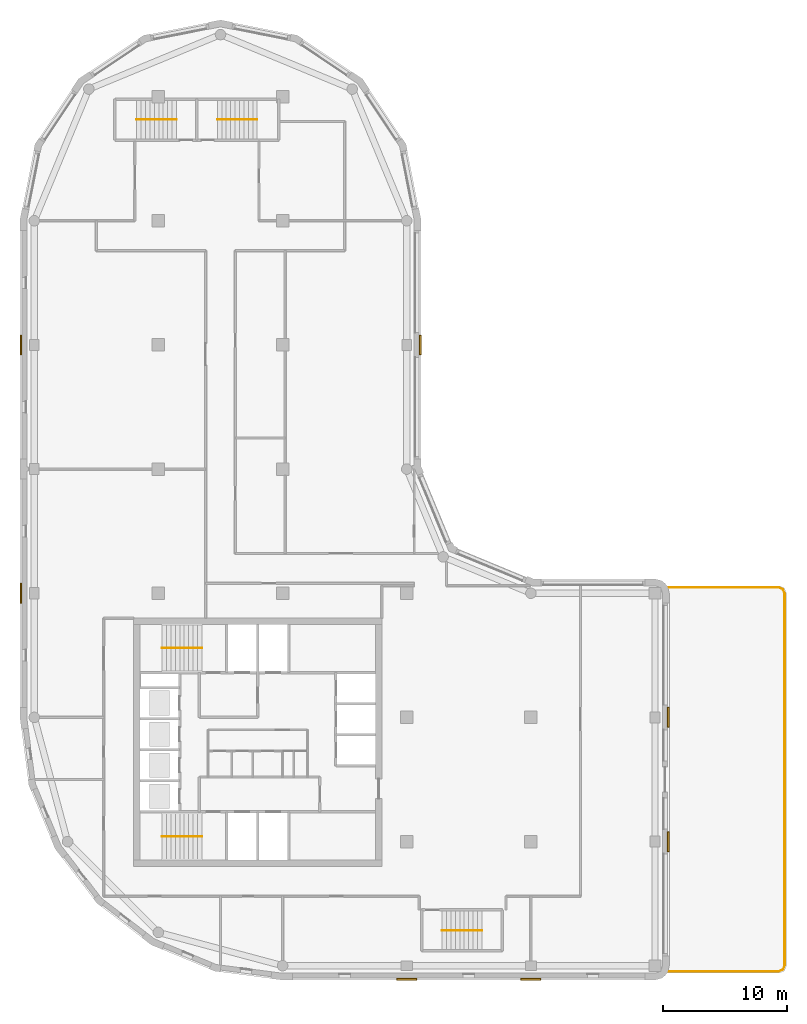
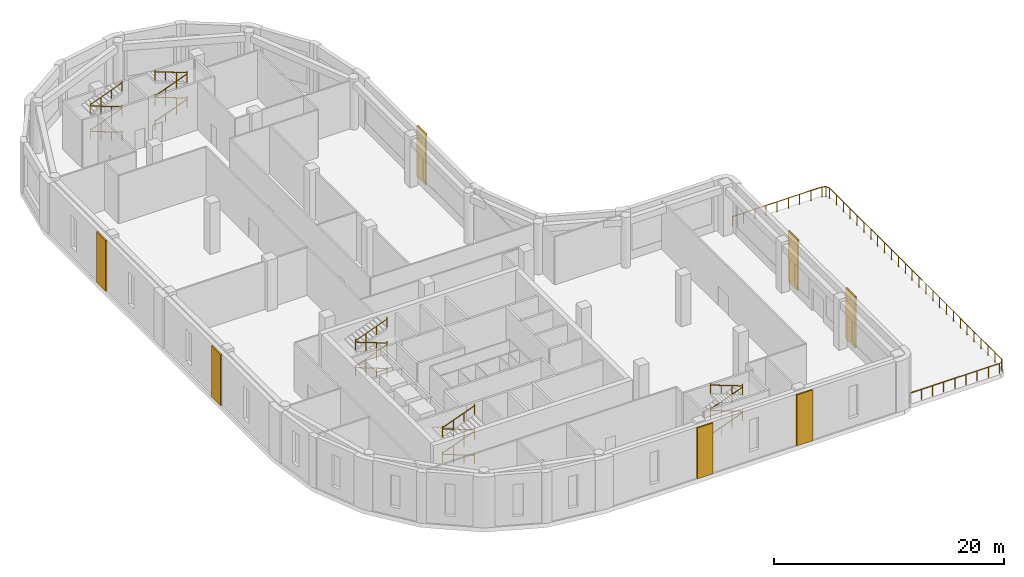
# One storey, part 8 of 9: 21 railings, 7 coverings.
"""IFC4 building model written with IfcOpenShell, lengths in metres."""

from ifc_helpers import new_model, si_unit, direction, frame, origin, origin_2d, place, context, subcontext, project, spatial, polyline, circle, outline, extrude, material, layer, layer_set, type_object, element, save


model = new_model("IFC4")

# Units and contexts
model_context = context("Model", 3, precision=1e-05, world=origin(), true_north=direction((0.0, 1.0)))
body_context = subcontext(model_context, "Body", "Model", "MODEL_VIEW")
ifc_project = project(units=[si_unit("LENGTHUNIT", "METRE"), si_unit("AREAUNIT", "SQUARE_METRE"), si_unit("VOLUMEUNIT", "CUBIC_METRE"), si_unit("PLANEANGLEUNIT", "RADIAN"), si_unit("MASSUNIT", "GRAM", prefix="KILO")], contexts=[model_context])

# Site, building, storey
site_placement = place(None, origin())
site = spatial("IfcSite", under=ifc_project, at=site_placement, CompositionType="ELEMENT")
building_placement = place(site_placement, origin())
building = spatial("IfcBuilding", under=site, at=building_placement, Name="Qaws Garden Tower", CompositionType="ELEMENT")
storey_placement = place(building_placement, frame((0.0, 0.0, 246.0)))
storey = spatial("IfcBuildingStorey", under=building, at=storey_placement, Name="L59", CompositionType="ELEMENT", Elevation=246.0)

# Coverings
ifc_material_1 = material(Name="Clay facing brick masonry", Category="masonry")
ifc_layer = layer(ifc_material_1, 0.14990234375)
ifc_layer_set = layer_set([ifc_layer], Name="Clay facing brick masonry")
covering_type = type_object("IfcCoveringType", Name="Brick pilaster facing 150 x 1600", PredefinedType="CLADDING", material=ifc_layer_set)
placement = place(storey_placement, origin())
element("IfcCovering", 1, at=placement, inside=storey, type_object=covering_type, Name="E-L59-pier-01", PredefinedType="CLADDING", context=body_context, shape_type="SweptSolid", body=[
    extrude(outline(polyline([(29.199951171875, -1.0), (30.800048828125, -1.0), (30.800048828125, -1.14990234375), (29.199951171875, -1.14990234375), (29.199951171875, -1.0)])), origin(), (0.0, 0.0, 1.0), 5.39990234375),
])
element("IfcCovering", 2, at=placement, inside=storey, type_object=covering_type, Name="E-L59-pier-02", PredefinedType="CLADDING", context=body_context, shape_type="SweptSolid", body=[
    extrude(outline(polyline([(39.199951171875, -1.0), (40.800048828125, -1.0), (40.800048828125, -1.14990234375), (39.199951171875, -1.14990234375), (39.199951171875, -1.0)])), origin(), (0.0, 0.0, 1.0), 5.39990234375),
])
element("IfcCovering", 3, at=placement, inside=storey, type_object=covering_type, Name="E-L59-pier-04", PredefinedType="CLADDING", context=body_context, shape_type="SweptSolid", body=[
    extrude(outline(polyline([(51.0, 9.199951171875), (51.0, 10.800048828125), (51.14990234375, 10.800048828125), (51.14990234375, 9.199951171875), (51.0, 9.199951171875)])), origin(), (0.0, 0.0, 1.0), 5.39990234375),
])
element("IfcCovering", 4, at=placement, inside=storey, type_object=covering_type, Name="E-L59-pier-05", PredefinedType="CLADDING", context=body_context, shape_type="SweptSolid", body=[
    extrude(outline(polyline([(51.0, 19.199951171875), (51.0, 20.800048828125), (51.14990234375, 20.800048828125), (51.14990234375, 19.199951171875), (51.0, 19.199951171875)])), origin(), (0.0, 0.0, 1.0), 5.39990234375),
])
element("IfcCovering", 5, at=placement, inside=storey, type_object=covering_type, Name="E-L59-pier-10", PredefinedType="CLADDING", context=body_context, shape_type="SweptSolid", body=[
    extrude(outline(polyline([(31.0, 49.199951171875), (31.0, 50.800048828125), (31.14990234375, 50.800048828125), (31.14990234375, 49.199951171875), (31.0, 49.199951171875)])), origin(), (0.0, 0.0, 1.0), 5.39990234375),
])
element("IfcCovering", 6, at=placement, inside=storey, type_object=covering_type, Name="E-L59-pier-20", PredefinedType="CLADDING", context=body_context, shape_type="SweptSolid", body=[
    extrude(outline(polyline([(-1.0, 50.800048828125), (-1.0, 49.199951171875), (-1.14990234375, 49.199951171875), (-1.14990234375, 50.800048828125), (-1.0, 50.800048828125)])), origin(), (0.0, 0.0, 1.0), 5.39990234375),
])
element("IfcCovering", 7, at=placement, inside=storey, type_object=covering_type, Name="E-L59-pier-22", PredefinedType="CLADDING", context=body_context, shape_type="SweptSolid", body=[
    extrude(outline(polyline([(-1.0, 30.800048828125), (-1.0, 29.199951171875), (-1.14990234375, 29.199951171875), (-1.14990234375, 30.800048828125), (-1.0, 30.800048828125)])), origin(), (0.0, 0.0, 1.0), 5.39990234375),
])

# Railings
ifc_material_2 = material(Name="Glass and steel S355", Category="steel")
railing_type_1 = type_object("IfcRailingType", Name="Guard glass balustrade 1100", PredefinedType="GUARDRAIL", material=ifc_material_2)
railing_1_placement = place(storey_placement, frame((50.97607421875, 30.449951171875, 0.0)))
element("IfcRailing", 8, at=railing_1_placement, inside=storey, type_object=railing_type_1, Name="Terrace guard", PredefinedType="GUARDRAIL", context=body_context, shape_type="SweptSolid", body=[
    extrude(circle(Radius=0.02392578125, at=origin_2d()), frame((0.0, 0.0, 1.076171875), z_axis=(1.0, 0.0, 0.0), x_axis=(0.0, 1.0, 0.0)), (0.0, 0.0, 1.0), 8.994140625),
    extrude(circle(Radius=0.02392578125, at=origin_2d()), frame((8.994140625, 0.0, 1.076171875), z_axis=(0.924057322028, -0.382253928177, 0.0), x_axis=(0.382253928177, 0.924057322028, 0.0)), (0.0, 0.0, 1.0), 0.3671875),
    extrude(circle(Radius=0.02392578125, at=origin_2d()), frame((9.33349609375, -0.140380859375, 1.076171875), z_axis=(0.382253928177, -0.924057322028, 0.0), x_axis=(0.924057322028, 0.382253928177, 0.0)), (0.0, 0.0, 1.0), 0.3671875),
    extrude(circle(Radius=0.02392578125, at=origin_2d()), frame((9.473876953125, -0.479736328125, 1.076171875), z_axis=(0.0, -1.0, 0.0), x_axis=(1.0, 0.0, 0.0)), (0.0, 0.0, 1.0), 29.9404296875),
    extrude(circle(Radius=0.02392578125, at=origin_2d()), frame((9.473876953125, -30.420166015625, 1.076171875), z_axis=(-0.382253928177, -0.924057322028, 0.0), x_axis=(0.924057322028, -0.382253928177, 0.0)), (0.0, 0.0, 1.0), 0.3671875),
    extrude(circle(Radius=0.02392578125, at=origin_2d()), frame((9.33349609375, -30.759521484375, 1.076171875), z_axis=(-0.924057322028, -0.382253928177, 0.0), x_axis=(0.382253928177, -0.924057322028, 0.0)), (0.0, 0.0, 1.0), 0.3671875),
    extrude(circle(Radius=0.02392578125, at=origin_2d()), frame((8.994140625, -30.89990234375, 1.076171875), z_axis=(-1.0, 0.0, 0.0), x_axis=(0.0, -1.0, 0.0)), (0.0, 0.0, 1.0), 8.994140625),
    extrude(circle(Radius=0.02099609375, at=origin_2d()), origin(), (0.0, 0.0, 1.0), 1.052001953125),
    extrude(circle(Radius=0.02099609375, at=origin_2d()), frame((1.124267578125, 0.0, 0.0)), (0.0, 0.0, 1.0), 1.052001953125),
    extrude(circle(Radius=0.02099609375, at=origin_2d()), frame((2.24853515625, 0.0, 0.0)), (0.0, 0.0, 1.0), 1.052001953125),
    extrude(circle(Radius=0.02099609375, at=origin_2d()), frame((3.372802734375, 0.0, 0.0)), (0.0, 0.0, 1.0), 1.052001953125),
    extrude(circle(Radius=0.02099609375, at=origin_2d()), frame((4.4970703125, 0.0, 0.0)), (0.0, 0.0, 1.0), 1.052001953125),
    extrude(circle(Radius=0.02099609375, at=origin_2d()), frame((5.621337890625, 0.0, 0.0)), (0.0, 0.0, 1.0), 1.052001953125),
    extrude(circle(Radius=0.02099609375, at=origin_2d()), frame((6.74560546875, 0.0, 0.0)), (0.0, 0.0, 1.0), 1.052001953125),
    extrude(circle(Radius=0.02099609375, at=origin_2d()), frame((7.869873046875, 0.0, 0.0)), (0.0, 0.0, 1.0), 1.052001953125),
    extrude(circle(Radius=0.02099609375, at=origin_2d()), frame((8.994140625, 0.0, 0.0)), (0.0, 0.0, 1.0), 1.052001953125),
    extrude(circle(Radius=0.02099609375, at=origin_2d()), frame((9.33349609375, -0.140380859375, 0.0)), (0.0, 0.0, 1.0), 1.052001953125),
    extrude(circle(Radius=0.02099609375, at=origin_2d()), frame((9.473876953125, -0.479736328125, 0.0)), (0.0, 0.0, 1.0), 1.052001953125),
    extrude(circle(Radius=0.02099609375, at=origin_2d()), frame((9.473876953125, -1.67724609375, 0.0)), (0.0, 0.0, 1.0), 1.052001953125),
    extrude(circle(Radius=0.02099609375, at=origin_2d()), frame((9.473876953125, -2.875, 0.0)), (0.0, 0.0, 1.0), 1.052001953125),
    extrude(circle(Radius=0.02099609375, at=origin_2d()), frame((9.473876953125, -4.072509765625, 0.0)), (0.0, 0.0, 1.0), 1.052001953125),
    extrude(circle(Radius=0.02099609375, at=origin_2d()), frame((9.473876953125, -5.270263671875, 0.0)), (0.0, 0.0, 1.0), 1.052001953125),
    extrude(circle(Radius=0.02099609375, at=origin_2d()), frame((9.473876953125, -6.4677734375, 0.0)), (0.0, 0.0, 1.0), 1.052001953125),
    extrude(circle(Radius=0.02099609375, at=origin_2d()), frame((9.473876953125, -7.66552734375, 0.0)), (0.0, 0.0, 1.0), 1.052001953125),
    extrude(circle(Radius=0.02099609375, at=origin_2d()), frame((9.473876953125, -8.863037109375, 0.0)), (0.0, 0.0, 1.0), 1.052001953125),
    extrude(circle(Radius=0.02099609375, at=origin_2d()), frame((9.473876953125, -10.060791015625, 0.0)), (0.0, 0.0, 1.0), 1.052001953125),
    extrude(circle(Radius=0.02099609375, at=origin_2d()), frame((9.473876953125, -11.25830078125, 0.0)), (0.0, 0.0, 1.0), 1.052001953125),
    extrude(circle(Radius=0.02099609375, at=origin_2d()), frame((9.473876953125, -12.455810546875, 0.0)), (0.0, 0.0, 1.0), 1.052001953125),
    extrude(circle(Radius=0.02099609375, at=origin_2d()), frame((9.473876953125, -13.653564453125, 0.0)), (0.0, 0.0, 1.0), 1.052001953125),
    extrude(circle(Radius=0.02099609375, at=origin_2d()), frame((9.473876953125, -14.85107421875, 0.0)), (0.0, 0.0, 1.0), 1.052001953125),
    extrude(circle(Radius=0.02099609375, at=origin_2d()), frame((9.473876953125, -16.048828125, 0.0)), (0.0, 0.0, 1.0), 1.052001953125),
    extrude(circle(Radius=0.02099609375, at=origin_2d()), frame((9.473876953125, -17.246337890625, 0.0)), (0.0, 0.0, 1.0), 1.052001953125),
    extrude(circle(Radius=0.02099609375, at=origin_2d()), frame((9.473876953125, -18.444091796875, 0.0)), (0.0, 0.0, 1.0), 1.052001953125),
    extrude(circle(Radius=0.02099609375, at=origin_2d()), frame((9.473876953125, -19.6416015625, 0.0)), (0.0, 0.0, 1.0), 1.052001953125),
    extrude(circle(Radius=0.02099609375, at=origin_2d()), frame((9.473876953125, -20.839111328125, 0.0)), (0.0, 0.0, 1.0), 1.052001953125),
    extrude(circle(Radius=0.02099609375, at=origin_2d()), frame((9.473876953125, -22.036865234375, 0.0)), (0.0, 0.0, 1.0), 1.052001953125),
    extrude(circle(Radius=0.02099609375, at=origin_2d()), frame((9.473876953125, -23.234375, 0.0)), (0.0, 0.0, 1.0), 1.052001953125),
    extrude(circle(Radius=0.02099609375, at=origin_2d()), frame((9.473876953125, -24.43212890625, 0.0)), (0.0, 0.0, 1.0), 1.052001953125),
    extrude(circle(Radius=0.02099609375, at=origin_2d()), frame((9.473876953125, -25.629638671875, 0.0)), (0.0, 0.0, 1.0), 1.052001953125),
    extrude(circle(Radius=0.02099609375, at=origin_2d()), frame((9.473876953125, -26.827392578125, 0.0)), (0.0, 0.0, 1.0), 1.052001953125),
    extrude(circle(Radius=0.02099609375, at=origin_2d()), frame((9.473876953125, -28.02490234375, 0.0)), (0.0, 0.0, 1.0), 1.052001953125),
    extrude(circle(Radius=0.02099609375, at=origin_2d()), frame((9.473876953125, -29.22265625, 0.0)), (0.0, 0.0, 1.0), 1.052001953125),
    extrude(circle(Radius=0.02099609375, at=origin_2d()), frame((9.473876953125, -30.420166015625, 0.0)), (0.0, 0.0, 1.0), 1.052001953125),
    extrude(circle(Radius=0.02099609375, at=origin_2d()), frame((9.33349609375, -30.759521484375, 0.0)), (0.0, 0.0, 1.0), 1.052001953125),
    extrude(circle(Radius=0.02099609375, at=origin_2d()), frame((8.994140625, -30.89990234375, 0.0)), (0.0, 0.0, 1.0), 1.052001953125),
    extrude(circle(Radius=0.02099609375, at=origin_2d()), frame((7.869873046875, -30.89990234375, 0.0)), (0.0, 0.0, 1.0), 1.052001953125),
    extrude(circle(Radius=0.02099609375, at=origin_2d()), frame((6.74560546875, -30.89990234375, 0.0)), (0.0, 0.0, 1.0), 1.052001953125),
    extrude(circle(Radius=0.02099609375, at=origin_2d()), frame((5.621337890625, -30.89990234375, 0.0)), (0.0, 0.0, 1.0), 1.052001953125),
    extrude(circle(Radius=0.02099609375, at=origin_2d()), frame((4.4970703125, -30.89990234375, 0.0)), (0.0, 0.0, 1.0), 1.052001953125),
    extrude(circle(Radius=0.02099609375, at=origin_2d()), frame((3.372802734375, -30.89990234375, 0.0)), (0.0, 0.0, 1.0), 1.052001953125),
    extrude(circle(Radius=0.02099609375, at=origin_2d()), frame((2.24853515625, -30.89990234375, 0.0)), (0.0, 0.0, 1.0), 1.052001953125),
    extrude(circle(Radius=0.02099609375, at=origin_2d()), frame((1.124267578125, -30.89990234375, 0.0)), (0.0, 0.0, 1.0), 1.052001953125),
    extrude(circle(Radius=0.02099609375, at=origin_2d()), frame((0.0, -30.89990234375, 0.0)), (0.0, 0.0, 1.0), 1.052001953125),
])
ifc_material_3 = material(Name="Steel S355", Category="steel")
railing_type_2 = type_object("IfcRailingType", Name="Stair handrail 900", PredefinedType="HANDRAIL", material=ifc_material_3)
railing_2_placement = place(storey_placement, frame((13.5, 10.39990234375, 0.135009765625)))
element("IfcRailing", 9, at=railing_2_placement, inside=storey, type_object=railing_type_2, Name="Stair 1 handrail", PredefinedType="HANDRAIL", context=body_context, shape_type="SweptSolid", body=[
    extrude(circle(Radius=0.02392578125, at=origin_2d()), frame((0.0, 0.0, 0.8759765625), z_axis=(-0.935022778244, 0.0, 0.354587653712), x_axis=(0.0, -1.0, 0.0)), (0.0, 0.0, 1.0), 3.4267578125),
    extrude(circle(Radius=0.02099609375, at=origin_2d()), origin(), (0.0, 0.0, 1.0), 1.034912109375),
    extrude(circle(Radius=0.02099609375, at=origin_2d()), frame((-1.068115234375, 0.0, 0.405029296875)), (0.0, 0.0, 1.0), 0.851806640625),
    extrude(circle(Radius=0.02099609375, at=origin_2d()), frame((-2.135986328125, 0.0, 0.81005859375)), (0.0, 0.0, 1.0), 0.851806640625),
    extrude(circle(Radius=0.02099609375, at=origin_2d()), frame((-3.2041015625, 0.0, 1.215087890625)), (0.0, 0.0, 1.0), 1.034912109375),
])
railing_3_placement = place(storey_placement, frame((10.2958984375, 10.39990234375, 1.485107421875)))
element("IfcRailing", 10, at=railing_3_placement, inside=storey, type_object=railing_type_2, Name="Stair 1 handrail", PredefinedType="HANDRAIL", context=body_context, shape_type="SweptSolid", body=[
    extrude(circle(Radius=0.02392578125, at=origin_2d()), frame((0.0, 0.0, 0.8759765625), z_axis=(0.935046397956, 0.0, 0.354525363931), x_axis=(0.0, 1.0, 0.0)), (0.0, 0.0, 1.0), 3.4267578125),
    extrude(circle(Radius=0.02099609375, at=origin_2d()), origin(), (0.0, 0.0, 1.0), 1.034912109375),
    extrude(circle(Radius=0.02099609375, at=origin_2d()), frame((1.068115234375, 0.0, 0.405029296875)), (0.0, 0.0, 1.0), 0.851806640625),
    extrude(circle(Radius=0.02099609375, at=origin_2d()), frame((2.135986328125, 0.0, 0.809814453125)), (0.0, 0.0, 1.0), 0.851806640625),
    extrude(circle(Radius=0.02099609375, at=origin_2d()), frame((3.2041015625, 0.0, 1.21484375)), (0.0, 0.0, 1.0), 1.034912109375),
])
railing_4_placement = place(storey_placement, frame((13.5, 10.39990234375, 2.8349609375)))
element("IfcRailing", 11, at=railing_4_placement, inside=storey, type_object=railing_type_2, Name="Stair 1 handrail", PredefinedType="HANDRAIL", context=body_context, shape_type="SweptSolid", body=[
    extrude(circle(Radius=0.02392578125, at=origin_2d()), frame((0.0, 0.0, 0.8759765625), z_axis=(-0.935022778244, 0.0, 0.354587653712), x_axis=(0.0, -1.0, 0.0)), (0.0, 0.0, 1.0), 3.4267578125),
    extrude(circle(Radius=0.02099609375, at=origin_2d()), origin(), (0.0, 0.0, 1.0), 1.034912109375),
    extrude(circle(Radius=0.02099609375, at=origin_2d()), frame((-1.068115234375, 0.0, 0.405029296875)), (0.0, 0.0, 1.0), 0.851806640625),
    extrude(circle(Radius=0.02099609375, at=origin_2d()), frame((-2.135986328125, 0.0, 0.81005859375)), (0.0, 0.0, 1.0), 0.851806640625),
    extrude(circle(Radius=0.02099609375, at=origin_2d()), frame((-3.2041015625, 0.0, 1.215087890625)), (0.0, 0.0, 1.0), 1.034912109375),
])
railing_5_placement = place(storey_placement, frame((10.2958984375, 10.39990234375, 4.18505859375)))
element("IfcRailing", 12, at=railing_5_placement, inside=storey, type_object=railing_type_2, Name="Stair 1 handrail", PredefinedType="HANDRAIL", context=body_context, shape_type="SweptSolid", body=[
    extrude(circle(Radius=0.02392578125, at=origin_2d()), frame((0.0, 0.0, 0.8759765625), z_axis=(0.935046397956, 0.0, 0.354525363931), x_axis=(0.0, 1.0, 0.0)), (0.0, 0.0, 1.0), 3.4267578125),
    extrude(circle(Radius=0.02099609375, at=origin_2d()), origin(), (0.0, 0.0, 1.0), 1.034912109375),
    extrude(circle(Radius=0.02099609375, at=origin_2d()), frame((1.068115234375, 0.0, 0.405029296875)), (0.0, 0.0, 1.0), 0.851806640625),
    extrude(circle(Radius=0.02099609375, at=origin_2d()), frame((2.135986328125, 0.0, 0.809814453125)), (0.0, 0.0, 1.0), 0.851806640625),
    extrude(circle(Radius=0.02099609375, at=origin_2d()), frame((3.2041015625, 0.0, 1.21484375)), (0.0, 0.0, 1.0), 1.034912109375),
])
railing_6_placement = place(storey_placement, frame((13.5, 25.60009765625, 0.135009765625)))
element("IfcRailing", 13, at=railing_6_placement, inside=storey, type_object=railing_type_2, Name="Stair 4 handrail", PredefinedType="HANDRAIL", context=body_context, shape_type="SweptSolid", body=[
    extrude(circle(Radius=0.02392578125, at=origin_2d()), frame((0.0, 0.0, 0.8759765625), z_axis=(-0.935022778244, 0.0, 0.354587653712), x_axis=(0.0, -1.0, 0.0)), (0.0, 0.0, 1.0), 3.4267578125),
    extrude(circle(Radius=0.02099609375, at=origin_2d()), origin(), (0.0, 0.0, 1.0), 1.034912109375),
    extrude(circle(Radius=0.02099609375, at=origin_2d()), frame((-1.068115234375, 0.0, 0.405029296875)), (0.0, 0.0, 1.0), 0.851806640625),
    extrude(circle(Radius=0.02099609375, at=origin_2d()), frame((-2.135986328125, 0.0, 0.81005859375)), (0.0, 0.0, 1.0), 0.851806640625),
    extrude(circle(Radius=0.02099609375, at=origin_2d()), frame((-3.2041015625, 0.0, 1.215087890625)), (0.0, 0.0, 1.0), 1.034912109375),
])
railing_7_placement = place(storey_placement, frame((10.2958984375, 25.60009765625, 1.485107421875)))
element("IfcRailing", 14, at=railing_7_placement, inside=storey, type_object=railing_type_2, Name="Stair 4 handrail", PredefinedType="HANDRAIL", context=body_context, shape_type="SweptSolid", body=[
    extrude(circle(Radius=0.02392578125, at=origin_2d()), frame((0.0, 0.0, 0.8759765625), z_axis=(0.935046397956, 0.0, 0.354525363931), x_axis=(0.0, 1.0, 0.0)), (0.0, 0.0, 1.0), 3.4267578125),
    extrude(circle(Radius=0.02099609375, at=origin_2d()), origin(), (0.0, 0.0, 1.0), 1.034912109375),
    extrude(circle(Radius=0.02099609375, at=origin_2d()), frame((1.068115234375, 0.0, 0.405029296875)), (0.0, 0.0, 1.0), 0.851806640625),
    extrude(circle(Radius=0.02099609375, at=origin_2d()), frame((2.135986328125, 0.0, 0.809814453125)), (0.0, 0.0, 1.0), 0.851806640625),
    extrude(circle(Radius=0.02099609375, at=origin_2d()), frame((3.2041015625, 0.0, 1.21484375)), (0.0, 0.0, 1.0), 1.034912109375),
])
railing_8_placement = place(storey_placement, frame((13.5, 25.60009765625, 2.8349609375)))
element("IfcRailing", 15, at=railing_8_placement, inside=storey, type_object=railing_type_2, Name="Stair 4 handrail", PredefinedType="HANDRAIL", context=body_context, shape_type="SweptSolid", body=[
    extrude(circle(Radius=0.02392578125, at=origin_2d()), frame((0.0, 0.0, 0.8759765625), z_axis=(-0.935022778244, 0.0, 0.354587653712), x_axis=(0.0, -1.0, 0.0)), (0.0, 0.0, 1.0), 3.4267578125),
    extrude(circle(Radius=0.02099609375, at=origin_2d()), origin(), (0.0, 0.0, 1.0), 1.034912109375),
    extrude(circle(Radius=0.02099609375, at=origin_2d()), frame((-1.068115234375, 0.0, 0.405029296875)), (0.0, 0.0, 1.0), 0.851806640625),
    extrude(circle(Radius=0.02099609375, at=origin_2d()), frame((-2.135986328125, 0.0, 0.81005859375)), (0.0, 0.0, 1.0), 0.851806640625),
    extrude(circle(Radius=0.02099609375, at=origin_2d()), frame((-3.2041015625, 0.0, 1.215087890625)), (0.0, 0.0, 1.0), 1.034912109375),
])
railing_9_placement = place(storey_placement, frame((10.2958984375, 25.60009765625, 4.18505859375)))
element("IfcRailing", 16, at=railing_9_placement, inside=storey, type_object=railing_type_2, Name="Stair 4 handrail", PredefinedType="HANDRAIL", context=body_context, shape_type="SweptSolid", body=[
    extrude(circle(Radius=0.02392578125, at=origin_2d()), frame((0.0, 0.0, 0.8759765625), z_axis=(0.935046397956, 0.0, 0.354525363931), x_axis=(0.0, 1.0, 0.0)), (0.0, 0.0, 1.0), 3.4267578125),
    extrude(circle(Radius=0.02099609375, at=origin_2d()), origin(), (0.0, 0.0, 1.0), 1.034912109375),
    extrude(circle(Radius=0.02099609375, at=origin_2d()), frame((1.068115234375, 0.0, 0.405029296875)), (0.0, 0.0, 1.0), 0.851806640625),
    extrude(circle(Radius=0.02099609375, at=origin_2d()), frame((2.135986328125, 0.0, 0.809814453125)), (0.0, 0.0, 1.0), 0.851806640625),
    extrude(circle(Radius=0.02099609375, at=origin_2d()), frame((3.2041015625, 0.0, 1.21484375)), (0.0, 0.0, 1.0), 1.034912109375),
])
railing_10_placement = place(storey_placement, frame((32.85009765625, 2.85009765625, 0.135009765625)))
element("IfcRailing", 17, at=railing_10_placement, inside=storey, type_object=railing_type_2, Name="Stair 5 handrail", PredefinedType="HANDRAIL", context=body_context, shape_type="SweptSolid", body=[
    extrude(circle(Radius=0.02392578125, at=origin_2d()), frame((0.0, 0.0, 0.8759765625), z_axis=(0.935013819511, 0.0, 0.354611276363), x_axis=(0.0, 1.0, 0.0)), (0.0, 0.0, 1.0), 3.426513671875),
    extrude(circle(Radius=0.02099609375, at=origin_2d()), origin(), (0.0, 0.0, 1.0), 1.034912109375),
    extrude(circle(Radius=0.02099609375, at=origin_2d()), frame((1.06787109375, 0.0, 0.405029296875)), (0.0, 0.0, 1.0), 0.851806640625),
    extrude(circle(Radius=0.02099609375, at=origin_2d()), frame((2.135986328125, 0.0, 0.81005859375)), (0.0, 0.0, 1.0), 0.851806640625),
    extrude(circle(Radius=0.02099609375, at=origin_2d()), frame((3.203857421875, 0.0, 1.215087890625)), (0.0, 0.0, 1.0), 1.034912109375),
])
railing_11_placement = place(storey_placement, frame((36.053955078125, 2.85009765625, 1.485107421875)))
element("IfcRailing", 18, at=railing_11_placement, inside=storey, type_object=railing_type_2, Name="Stair 5 handrail", PredefinedType="HANDRAIL", context=body_context, shape_type="SweptSolid", body=[
    extrude(circle(Radius=0.02392578125, at=origin_2d()), frame((0.0, 0.0, 0.8759765625), z_axis=(-0.935037442144, 0.0, 0.354548983625), x_axis=(0.0, -1.0, 0.0)), (0.0, 0.0, 1.0), 3.426513671875),
    extrude(circle(Radius=0.02099609375, at=origin_2d()), origin(), (0.0, 0.0, 1.0), 1.034912109375),
    extrude(circle(Radius=0.02099609375, at=origin_2d()), frame((-1.06787109375, 0.0, 0.405029296875)), (0.0, 0.0, 1.0), 0.851806640625),
    extrude(circle(Radius=0.02099609375, at=origin_2d()), frame((-2.135986328125, 0.0, 0.809814453125)), (0.0, 0.0, 1.0), 0.851806640625),
    extrude(circle(Radius=0.02099609375, at=origin_2d()), frame((-3.203857421875, 0.0, 1.21484375)), (0.0, 0.0, 1.0), 1.034912109375),
])
railing_12_placement = place(storey_placement, frame((32.85009765625, 2.85009765625, 2.8349609375)))
element("IfcRailing", 19, at=railing_12_placement, inside=storey, type_object=railing_type_2, Name="Stair 5 handrail", PredefinedType="HANDRAIL", context=body_context, shape_type="SweptSolid", body=[
    extrude(circle(Radius=0.02392578125, at=origin_2d()), frame((0.0, 0.0, 0.8759765625), z_axis=(0.935013819511, 0.0, 0.354611276363), x_axis=(0.0, 1.0, 0.0)), (0.0, 0.0, 1.0), 3.426513671875),
    extrude(circle(Radius=0.02099609375, at=origin_2d()), origin(), (0.0, 0.0, 1.0), 1.034912109375),
    extrude(circle(Radius=0.02099609375, at=origin_2d()), frame((1.06787109375, 0.0, 0.405029296875)), (0.0, 0.0, 1.0), 0.851806640625),
    extrude(circle(Radius=0.02099609375, at=origin_2d()), frame((2.135986328125, 0.0, 0.81005859375)), (0.0, 0.0, 1.0), 0.851806640625),
    extrude(circle(Radius=0.02099609375, at=origin_2d()), frame((3.203857421875, 0.0, 1.215087890625)), (0.0, 0.0, 1.0), 1.034912109375),
])
railing_13_placement = place(storey_placement, frame((36.053955078125, 2.85009765625, 4.18505859375)))
element("IfcRailing", 20, at=railing_13_placement, inside=storey, type_object=railing_type_2, Name="Stair 5 handrail", PredefinedType="HANDRAIL", context=body_context, shape_type="SweptSolid", body=[
    extrude(circle(Radius=0.02392578125, at=origin_2d()), frame((0.0, 0.0, 0.8759765625), z_axis=(-0.935037442144, 0.0, 0.354548983625), x_axis=(0.0, -1.0, 0.0)), (0.0, 0.0, 1.0), 3.426513671875),
    extrude(circle(Radius=0.02099609375, at=origin_2d()), origin(), (0.0, 0.0, 1.0), 1.034912109375),
    extrude(circle(Radius=0.02099609375, at=origin_2d()), frame((-1.06787109375, 0.0, 0.405029296875)), (0.0, 0.0, 1.0), 0.851806640625),
    extrude(circle(Radius=0.02099609375, at=origin_2d()), frame((-2.135986328125, 0.0, 0.809814453125)), (0.0, 0.0, 1.0), 0.851806640625),
    extrude(circle(Radius=0.02099609375, at=origin_2d()), frame((-3.203857421875, 0.0, 1.21484375)), (0.0, 0.0, 1.0), 1.034912109375),
])
railing_14_placement = place(storey_placement, frame((11.449951171875, 68.14990234375, 0.135009765625)))
element("IfcRailing", 21, at=railing_14_placement, inside=storey, type_object=railing_type_2, Name="Stair 6 handrail", PredefinedType="HANDRAIL", context=body_context, shape_type="SweptSolid", body=[
    extrude(circle(Radius=0.02392578125, at=origin_2d()), frame((0.0, 0.0, 0.8759765625), z_axis=(-0.935013819511, 0.0, 0.354611276363), x_axis=(0.0, -1.0, 0.0)), (0.0, 0.0, 1.0), 3.426513671875),
    extrude(circle(Radius=0.02099609375, at=origin_2d()), origin(), (0.0, 0.0, 1.0), 1.034912109375),
    extrude(circle(Radius=0.02099609375, at=origin_2d()), frame((-1.06787109375, 0.0, 0.405029296875)), (0.0, 0.0, 1.0), 0.851806640625),
    extrude(circle(Radius=0.02099609375, at=origin_2d()), frame((-2.135986328125, 0.0, 0.81005859375)), (0.0, 0.0, 1.0), 0.851806640625),
    extrude(circle(Radius=0.02099609375, at=origin_2d()), frame((-3.203857421875, 0.0, 1.215087890625)), (0.0, 0.0, 1.0), 1.034912109375),
])
railing_15_placement = place(storey_placement, frame((8.24609375, 68.14990234375, 1.485107421875)))
element("IfcRailing", 22, at=railing_15_placement, inside=storey, type_object=railing_type_2, Name="Stair 6 handrail", PredefinedType="HANDRAIL", context=body_context, shape_type="SweptSolid", body=[
    extrude(circle(Radius=0.02392578125, at=origin_2d()), frame((0.0, 0.0, 0.8759765625), z_axis=(0.935037442144, 0.0, 0.354548983625), x_axis=(0.0, 1.0, 0.0)), (0.0, 0.0, 1.0), 3.426513671875),
    extrude(circle(Radius=0.02099609375, at=origin_2d()), origin(), (0.0, 0.0, 1.0), 1.034912109375),
    extrude(circle(Radius=0.02099609375, at=origin_2d()), frame((1.06787109375, 0.0, 0.405029296875)), (0.0, 0.0, 1.0), 0.851806640625),
    extrude(circle(Radius=0.02099609375, at=origin_2d()), frame((2.135986328125, 0.0, 0.809814453125)), (0.0, 0.0, 1.0), 0.851806640625),
    extrude(circle(Radius=0.02099609375, at=origin_2d()), frame((3.203857421875, 0.0, 1.21484375)), (0.0, 0.0, 1.0), 1.034912109375),
])
railing_16_placement = place(storey_placement, frame((11.449951171875, 68.14990234375, 2.8349609375)))
element("IfcRailing", 23, at=railing_16_placement, inside=storey, type_object=railing_type_2, Name="Stair 6 handrail", PredefinedType="HANDRAIL", context=body_context, shape_type="SweptSolid", body=[
    extrude(circle(Radius=0.02392578125, at=origin_2d()), frame((0.0, 0.0, 0.8759765625), z_axis=(-0.935013819511, 0.0, 0.354611276363), x_axis=(0.0, -1.0, 0.0)), (0.0, 0.0, 1.0), 3.426513671875),
    extrude(circle(Radius=0.02099609375, at=origin_2d()), origin(), (0.0, 0.0, 1.0), 1.034912109375),
    extrude(circle(Radius=0.02099609375, at=origin_2d()), frame((-1.06787109375, 0.0, 0.405029296875)), (0.0, 0.0, 1.0), 0.851806640625),
    extrude(circle(Radius=0.02099609375, at=origin_2d()), frame((-2.135986328125, 0.0, 0.81005859375)), (0.0, 0.0, 1.0), 0.851806640625),
    extrude(circle(Radius=0.02099609375, at=origin_2d()), frame((-3.203857421875, 0.0, 1.215087890625)), (0.0, 0.0, 1.0), 1.034912109375),
])
railing_17_placement = place(storey_placement, frame((8.24609375, 68.14990234375, 4.18505859375)))
element("IfcRailing", 24, at=railing_17_placement, inside=storey, type_object=railing_type_2, Name="Stair 6 handrail", PredefinedType="HANDRAIL", context=body_context, shape_type="SweptSolid", body=[
    extrude(circle(Radius=0.02392578125, at=origin_2d()), frame((0.0, 0.0, 0.8759765625), z_axis=(0.935037442144, 0.0, 0.354548983625), x_axis=(0.0, 1.0, 0.0)), (0.0, 0.0, 1.0), 3.426513671875),
    extrude(circle(Radius=0.02099609375, at=origin_2d()), origin(), (0.0, 0.0, 1.0), 1.034912109375),
    extrude(circle(Radius=0.02099609375, at=origin_2d()), frame((1.06787109375, 0.0, 0.405029296875)), (0.0, 0.0, 1.0), 0.851806640625),
    extrude(circle(Radius=0.02099609375, at=origin_2d()), frame((2.135986328125, 0.0, 0.809814453125)), (0.0, 0.0, 1.0), 0.851806640625),
    extrude(circle(Radius=0.02099609375, at=origin_2d()), frame((3.203857421875, 0.0, 1.21484375)), (0.0, 0.0, 1.0), 1.034912109375),
])
railing_18_placement = place(storey_placement, frame((14.75, 68.14990234375, 0.135009765625)))
element("IfcRailing", 25, at=railing_18_placement, inside=storey, type_object=railing_type_2, Name="Stair 7 handrail", PredefinedType="HANDRAIL", context=body_context, shape_type="SweptSolid", body=[
    extrude(circle(Radius=0.02392578125, at=origin_2d()), frame((0.0, 0.0, 0.8759765625), z_axis=(0.935022778244, 0.0, 0.354587653712), x_axis=(0.0, 1.0, 0.0)), (0.0, 0.0, 1.0), 3.4267578125),
    extrude(circle(Radius=0.02099609375, at=origin_2d()), origin(), (0.0, 0.0, 1.0), 1.034912109375),
    extrude(circle(Radius=0.02099609375, at=origin_2d()), frame((1.068115234375, 0.0, 0.405029296875)), (0.0, 0.0, 1.0), 0.851806640625),
    extrude(circle(Radius=0.02099609375, at=origin_2d()), frame((2.135986328125, 0.0, 0.81005859375)), (0.0, 0.0, 1.0), 0.851806640625),
    extrude(circle(Radius=0.02099609375, at=origin_2d()), frame((3.2041015625, 0.0, 1.215087890625)), (0.0, 0.0, 1.0), 1.034912109375),
])
railing_19_placement = place(storey_placement, frame((17.9541015625, 68.14990234375, 1.485107421875)))
element("IfcRailing", 26, at=railing_19_placement, inside=storey, type_object=railing_type_2, Name="Stair 7 handrail", PredefinedType="HANDRAIL", context=body_context, shape_type="SweptSolid", body=[
    extrude(circle(Radius=0.02392578125, at=origin_2d()), frame((0.0, 0.0, 0.8759765625), z_axis=(-0.935046397956, 0.0, 0.354525363931), x_axis=(0.0, -1.0, 0.0)), (0.0, 0.0, 1.0), 3.4267578125),
    extrude(circle(Radius=0.02099609375, at=origin_2d()), origin(), (0.0, 0.0, 1.0), 1.034912109375),
    extrude(circle(Radius=0.02099609375, at=origin_2d()), frame((-1.068115234375, 0.0, 0.405029296875)), (0.0, 0.0, 1.0), 0.851806640625),
    extrude(circle(Radius=0.02099609375, at=origin_2d()), frame((-2.135986328125, 0.0, 0.809814453125)), (0.0, 0.0, 1.0), 0.851806640625),
    extrude(circle(Radius=0.02099609375, at=origin_2d()), frame((-3.2041015625, 0.0, 1.21484375)), (0.0, 0.0, 1.0), 1.034912109375),
])
railing_20_placement = place(storey_placement, frame((14.75, 68.14990234375, 2.8349609375)))
element("IfcRailing", 27, at=railing_20_placement, inside=storey, type_object=railing_type_2, Name="Stair 7 handrail", PredefinedType="HANDRAIL", context=body_context, shape_type="SweptSolid", body=[
    extrude(circle(Radius=0.02392578125, at=origin_2d()), frame((0.0, 0.0, 0.8759765625), z_axis=(0.935022778244, 0.0, 0.354587653712), x_axis=(0.0, 1.0, 0.0)), (0.0, 0.0, 1.0), 3.4267578125),
    extrude(circle(Radius=0.02099609375, at=origin_2d()), origin(), (0.0, 0.0, 1.0), 1.034912109375),
    extrude(circle(Radius=0.02099609375, at=origin_2d()), frame((1.068115234375, 0.0, 0.405029296875)), (0.0, 0.0, 1.0), 0.851806640625),
    extrude(circle(Radius=0.02099609375, at=origin_2d()), frame((2.135986328125, 0.0, 0.81005859375)), (0.0, 0.0, 1.0), 0.851806640625),
    extrude(circle(Radius=0.02099609375, at=origin_2d()), frame((3.2041015625, 0.0, 1.215087890625)), (0.0, 0.0, 1.0), 1.034912109375),
])
railing_21_placement = place(storey_placement, frame((17.9541015625, 68.14990234375, 4.18505859375)))
element("IfcRailing", 28, at=railing_21_placement, inside=storey, type_object=railing_type_2, Name="Stair 7 handrail", PredefinedType="HANDRAIL", context=body_context, shape_type="SweptSolid", body=[
    extrude(circle(Radius=0.02392578125, at=origin_2d()), frame((0.0, 0.0, 0.8759765625), z_axis=(-0.935046397956, 0.0, 0.354525363931), x_axis=(0.0, -1.0, 0.0)), (0.0, 0.0, 1.0), 3.4267578125),
    extrude(circle(Radius=0.02099609375, at=origin_2d()), origin(), (0.0, 0.0, 1.0), 1.034912109375),
    extrude(circle(Radius=0.02099609375, at=origin_2d()), frame((-1.068115234375, 0.0, 0.405029296875)), (0.0, 0.0, 1.0), 0.851806640625),
    extrude(circle(Radius=0.02099609375, at=origin_2d()), frame((-2.135986328125, 0.0, 0.809814453125)), (0.0, 0.0, 1.0), 0.851806640625),
    extrude(circle(Radius=0.02099609375, at=origin_2d()), frame((-3.2041015625, 0.0, 1.21484375)), (0.0, 0.0, 1.0), 1.034912109375),
])

save(model, "model.ifc")
